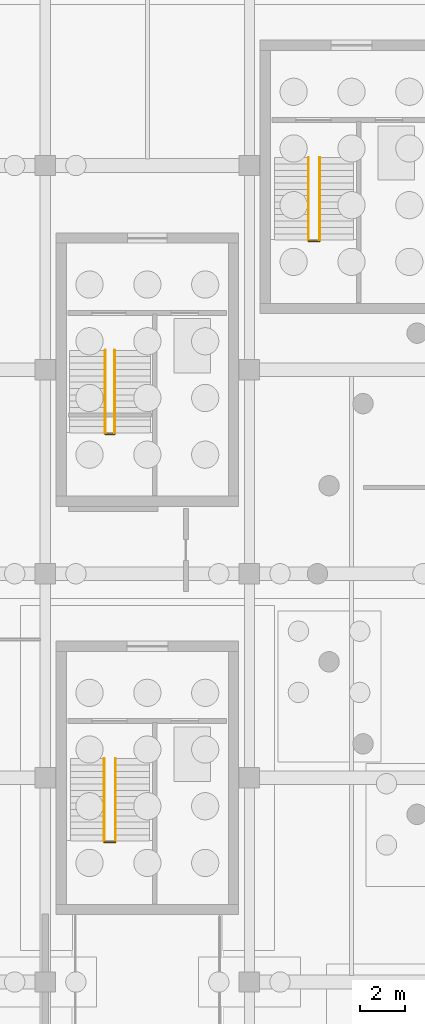
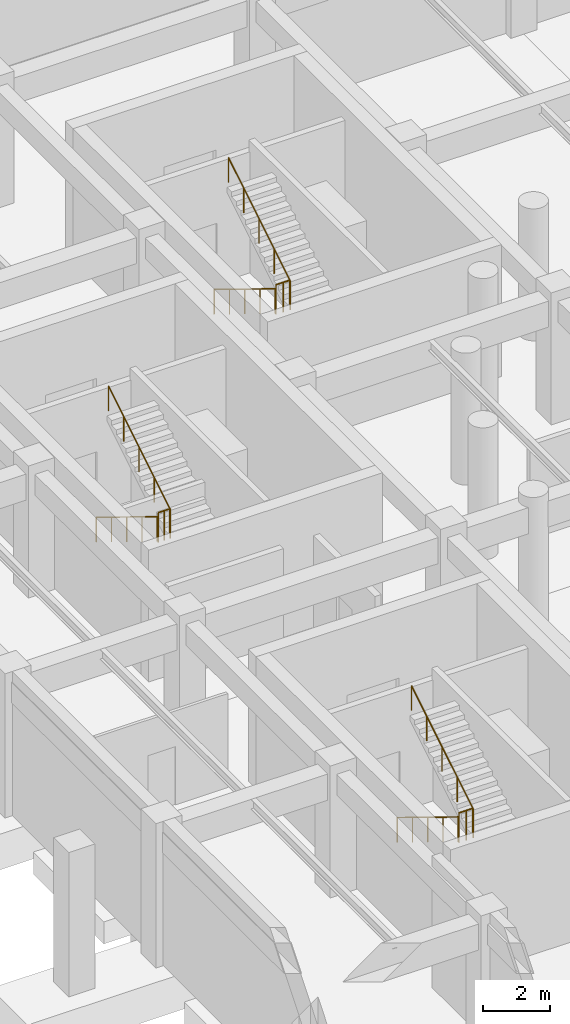
# One storey, part 24 of 27: 9 railings.
"""IFC4 building model written with IfcOpenShell, lengths in metres."""

from ifc_helpers import new_model, si_unit, direction, frame, origin, origin_2d, place, context, subcontext, project, spatial, circle, extrude, material, type_object, element, save


model = new_model("IFC4")

# Units and contexts
model_context = context("Model", 3, precision=1e-05, world=origin(), true_north=direction((0.0, 1.0)))
body_context = subcontext(model_context, "Body", "Model", "MODEL_VIEW")
ifc_project = project(units=[si_unit("LENGTHUNIT", "METRE"), si_unit("AREAUNIT", "SQUARE_METRE"), si_unit("VOLUMEUNIT", "CUBIC_METRE"), si_unit("PLANEANGLEUNIT", "RADIAN"), si_unit("MASSUNIT", "GRAM", prefix="KILO")], contexts=[model_context])

# Site, building, storey
site_placement = place(None, origin())
site = spatial("IfcSite", under=ifc_project, at=site_placement, CompositionType="ELEMENT")
building_placement = place(site_placement, origin())
building = spatial("IfcBuilding", under=site, at=building_placement, Name="Dornveld Trade and Exhibition Forum", CompositionType="ELEMENT")
storey_placement = place(building_placement, frame((0.0, 0.0, -4.800048828125)))
storey = spatial("IfcBuildingStorey", under=building, at=storey_placement, Name="B1", CompositionType="ELEMENT", Elevation=-4.800048828125)

# Railings
ifc_material_1 = material(Name="Brushed stainless steel handrail", Category="steel")
railing_type_1 = type_object("IfcRailingType", Name="RL-HAND-920", PredefinedType="HANDRAIL", material=ifc_material_1)
railing_1_placement = place(storey_placement, frame((101.60498046875, 99.35009765625, 0.17138671875)))
element("IfcRailing", 1, at=railing_1_placement, inside=storey, type_object=railing_type_1, Name="ST-03-B1 flight 1 handrail", PredefinedType="HANDRAIL", context=body_context, shape_type="SweptSolid", body=[
    extrude(circle(Radius=0.02099609375, at=origin_2d()), frame((0.0, 0.0, 0.89892578125), z_axis=(0.0, -0.852840387347, 0.522171689878), x_axis=(1.0, 0.0, 0.0)), (0.0, 0.0, 1.0), 4.268310546875),
    extrude(circle(Radius=0.01806640625, at=origin_2d()), origin(), (0.0, 0.0, 1.0), 0.8779296875),
    extrude(circle(Radius=0.01806640625, at=origin_2d()), frame((0.0, -0.91015625, 0.55712890625)), (0.0, 0.0, 1.0), 0.8779296875),
    extrude(circle(Radius=0.01806640625, at=origin_2d()), frame((0.0, -1.820068359375, 1.1142578125)), (0.0, 0.0, 1.0), 0.8779296875),
    extrude(circle(Radius=0.01806640625, at=origin_2d()), frame((0.0, -2.72998046875, 1.671630859375)), (0.0, 0.0, 1.0), 0.8779296875),
    extrude(circle(Radius=0.01806640625, at=origin_2d()), frame((0.0, -3.64013671875, 2.228759765625)), (0.0, 0.0, 1.0), 0.8779296875),
])
railing_2_placement = place(storey_placement, frame((102.094970703125, 95.7099609375, 2.571533203125)))
element("IfcRailing", 2, at=railing_2_placement, inside=storey, type_object=railing_type_1, Name="ST-03-B1 flight 2 handrail", PredefinedType="HANDRAIL", context=body_context, shape_type="SweptSolid", body=[
    extrude(circle(Radius=0.02099609375, at=origin_2d()), frame((0.0, 0.0, 0.89892578125), z_axis=(0.0, 0.852865859571, 0.52213008492), x_axis=(-1.0, 0.0, 0.0)), (0.0, 0.0, 1.0), 4.26806640625),
    extrude(circle(Radius=0.01806640625, at=origin_2d()), origin(), (0.0, 0.0, 1.0), 0.8779296875),
    extrude(circle(Radius=0.01806640625, at=origin_2d()), frame((0.0, 0.91015625, 0.55712890625)), (0.0, 0.0, 1.0), 0.8779296875),
    extrude(circle(Radius=0.01806640625, at=origin_2d()), frame((0.0, 1.820068359375, 1.1142578125)), (0.0, 0.0, 1.0), 0.8779296875),
    extrude(circle(Radius=0.01806640625, at=origin_2d()), frame((0.0, 2.72998046875, 1.67138671875)), (0.0, 0.0, 1.0), 0.8779296875),
    extrude(circle(Radius=0.01806640625, at=origin_2d()), frame((0.0, 3.64013671875, 2.228515625)), (0.0, 0.0, 1.0), 0.8779296875),
])
railing_3_placement = place(storey_placement, frame((92.639892578125, 90.85009765625, 0.17138671875)))
element("IfcRailing", 3, at=railing_3_placement, inside=storey, type_object=railing_type_1, Name="ST-04-B1 flight 1 handrail", PredefinedType="HANDRAIL", context=body_context, shape_type="SweptSolid", body=[
    extrude(circle(Radius=0.02099609375, at=origin_2d()), frame((0.0, 0.0, 0.89892578125), z_axis=(0.0, -0.852840387347, 0.522171689878), x_axis=(1.0, 0.0, 0.0)), (0.0, 0.0, 1.0), 4.268310546875),
    extrude(circle(Radius=0.01806640625, at=origin_2d()), origin(), (0.0, 0.0, 1.0), 0.8779296875),
    extrude(circle(Radius=0.01806640625, at=origin_2d()), frame((0.0, -0.91015625, 0.55712890625)), (0.0, 0.0, 1.0), 0.8779296875),
    extrude(circle(Radius=0.01806640625, at=origin_2d()), frame((0.0, -1.820068359375, 1.1142578125)), (0.0, 0.0, 1.0), 0.8779296875),
    extrude(circle(Radius=0.01806640625, at=origin_2d()), frame((0.0, -2.72998046875, 1.671630859375)), (0.0, 0.0, 1.0), 0.8779296875),
    extrude(circle(Radius=0.01806640625, at=origin_2d()), frame((0.0, -3.64013671875, 2.228759765625)), (0.0, 0.0, 1.0), 0.8779296875),
])
railing_4_placement = place(storey_placement, frame((93.06005859375, 87.2099609375, 2.571533203125)))
element("IfcRailing", 4, at=railing_4_placement, inside=storey, type_object=railing_type_1, Name="ST-04-B1 flight 2 handrail", PredefinedType="HANDRAIL", context=body_context, shape_type="SweptSolid", body=[
    extrude(circle(Radius=0.02099609375, at=origin_2d()), frame((0.0, 0.0, 0.89892578125), z_axis=(0.0, 0.852865859571, 0.52213008492), x_axis=(-1.0, 0.0, 0.0)), (0.0, 0.0, 1.0), 4.26806640625),
    extrude(circle(Radius=0.01806640625, at=origin_2d()), origin(), (0.0, 0.0, 1.0), 0.8779296875),
    extrude(circle(Radius=0.01806640625, at=origin_2d()), frame((0.0, 0.91015625, 0.55712890625)), (0.0, 0.0, 1.0), 0.8779296875),
    extrude(circle(Radius=0.01806640625, at=origin_2d()), frame((0.0, 1.820068359375, 1.1142578125)), (0.0, 0.0, 1.0), 0.8779296875),
    extrude(circle(Radius=0.01806640625, at=origin_2d()), frame((0.0, 2.72998046875, 1.67138671875)), (0.0, 0.0, 1.0), 0.8779296875),
    extrude(circle(Radius=0.01806640625, at=origin_2d()), frame((0.0, 3.64013671875, 2.228515625)), (0.0, 0.0, 1.0), 0.8779296875),
])
railing_5_placement = place(storey_placement, frame((92.60498046875, 72.85009765625, 0.17138671875)))
element("IfcRailing", 5, at=railing_5_placement, inside=storey, type_object=railing_type_1, Name="ST-05-B1 flight 1 handrail", PredefinedType="HANDRAIL", context=body_context, shape_type="SweptSolid", body=[
    extrude(circle(Radius=0.02099609375, at=origin_2d()), frame((0.0, 0.0, 0.89892578125), z_axis=(0.0, -0.852840387347, 0.522171689878), x_axis=(1.0, 0.0, 0.0)), (0.0, 0.0, 1.0), 4.268310546875),
    extrude(circle(Radius=0.01806640625, at=origin_2d()), origin(), (0.0, 0.0, 1.0), 0.8779296875),
    extrude(circle(Radius=0.01806640625, at=origin_2d()), frame((0.0, -0.91015625, 0.55712890625)), (0.0, 0.0, 1.0), 0.8779296875),
    extrude(circle(Radius=0.01806640625, at=origin_2d()), frame((0.0, -1.820068359375, 1.1142578125)), (0.0, 0.0, 1.0), 0.8779296875),
    extrude(circle(Radius=0.01806640625, at=origin_2d()), frame((0.0, -2.72998046875, 1.671630859375)), (0.0, 0.0, 1.0), 0.8779296875),
    extrude(circle(Radius=0.01806640625, at=origin_2d()), frame((0.0, -3.64013671875, 2.228759765625)), (0.0, 0.0, 1.0), 0.8779296875),
])
railing_6_placement = place(storey_placement, frame((93.094970703125, 69.2099609375, 2.571533203125)))
element("IfcRailing", 6, at=railing_6_placement, inside=storey, type_object=railing_type_1, Name="ST-05-B1 flight 2 handrail", PredefinedType="HANDRAIL", context=body_context, shape_type="SweptSolid", body=[
    extrude(circle(Radius=0.02099609375, at=origin_2d()), frame((0.0, 0.0, 0.89892578125), z_axis=(0.0, 0.852865859571, 0.52213008492), x_axis=(-1.0, 0.0, 0.0)), (0.0, 0.0, 1.0), 4.26806640625),
    extrude(circle(Radius=0.01806640625, at=origin_2d()), origin(), (0.0, 0.0, 1.0), 0.8779296875),
    extrude(circle(Radius=0.01806640625, at=origin_2d()), frame((0.0, 0.91015625, 0.55712890625)), (0.0, 0.0, 1.0), 0.8779296875),
    extrude(circle(Radius=0.01806640625, at=origin_2d()), frame((0.0, 1.820068359375, 1.1142578125)), (0.0, 0.0, 1.0), 0.8779296875),
    extrude(circle(Radius=0.01806640625, at=origin_2d()), frame((0.0, 2.72998046875, 1.67138671875)), (0.0, 0.0, 1.0), 0.8779296875),
    extrude(circle(Radius=0.01806640625, at=origin_2d()), frame((0.0, 3.64013671875, 2.228515625)), (0.0, 0.0, 1.0), 0.8779296875),
])
ifc_material_2 = material(Name="Painted steel S355J2 stair-well guard", Category="steel")
railing_type_2 = type_object("IfcRailingType", Name="RL-WELL-110", PredefinedType="GUARDRAIL", material=ifc_material_2)
railing_7_placement = place(storey_placement, frame((101.60498046875, 95.659912109375, 2.400146484375)))
element("IfcRailing", 7, at=railing_7_placement, inside=storey, type_object=railing_type_2, Name="ST-03-B1 half-landing well guard", PredefinedType="GUARDRAIL", context=body_context, shape_type="SweptSolid", body=[
    extrude(circle(Radius=0.02392578125, at=origin_2d()), frame((0.0, 0.0, 1.076171875), z_axis=(1.0, 0.0, 0.0), x_axis=(0.0, 1.0, 0.0)), (0.0, 0.0, 1.0), 0.489990234375),
    extrude(circle(Radius=0.02001953125, at=origin_2d()), origin(), (0.0, 0.0, 1.0), 1.052001953125),
    extrude(circle(Radius=0.02001953125, at=origin_2d()), frame((0.2451171875, 0.0, 0.0)), (0.0, 0.0, 1.0), 1.052001953125),
    extrude(circle(Radius=0.02001953125, at=origin_2d()), frame((0.489990234375, 0.0, 0.0)), (0.0, 0.0, 1.0), 1.052001953125),
])
railing_8_placement = place(storey_placement, frame((92.639892578125, 87.159912109375, 2.400146484375)))
element("IfcRailing", 8, at=railing_8_placement, inside=storey, type_object=railing_type_2, Name="ST-04-B1 half-landing well guard", PredefinedType="GUARDRAIL", context=body_context, shape_type="SweptSolid", body=[
    extrude(circle(Radius=0.02392578125, at=origin_2d()), frame((0.0, 0.0, 1.076171875), z_axis=(1.0, 0.0, 0.0), x_axis=(0.0, 1.0, 0.0)), (0.0, 0.0, 1.0), 0.420166015625),
    extrude(circle(Radius=0.02001953125, at=origin_2d()), origin(), (0.0, 0.0, 1.0), 1.052001953125),
    extrude(circle(Radius=0.02001953125, at=origin_2d()), frame((0.2099609375, 0.0, 0.0)), (0.0, 0.0, 1.0), 1.052001953125),
    extrude(circle(Radius=0.02001953125, at=origin_2d()), frame((0.420166015625, 0.0, 0.0)), (0.0, 0.0, 1.0), 1.052001953125),
])
railing_9_placement = place(storey_placement, frame((92.60498046875, 69.159912109375, 2.400146484375)))
element("IfcRailing", 9, at=railing_9_placement, inside=storey, type_object=railing_type_2, Name="ST-05-B1 half-landing well guard", PredefinedType="GUARDRAIL", context=body_context, shape_type="SweptSolid", body=[
    extrude(circle(Radius=0.02392578125, at=origin_2d()), frame((0.0, 0.0, 1.076171875), z_axis=(1.0, 0.0, 0.0), x_axis=(0.0, 1.0, 0.0)), (0.0, 0.0, 1.0), 0.489990234375),
    extrude(circle(Radius=0.02001953125, at=origin_2d()), origin(), (0.0, 0.0, 1.0), 1.052001953125),
    extrude(circle(Radius=0.02001953125, at=origin_2d()), frame((0.2451171875, 0.0, 0.0)), (0.0, 0.0, 1.0), 1.052001953125),
    extrude(circle(Radius=0.02001953125, at=origin_2d()), frame((0.489990234375, 0.0, 0.0)), (0.0, 0.0, 1.0), 1.052001953125),
])

save(model, "model.ifc")
